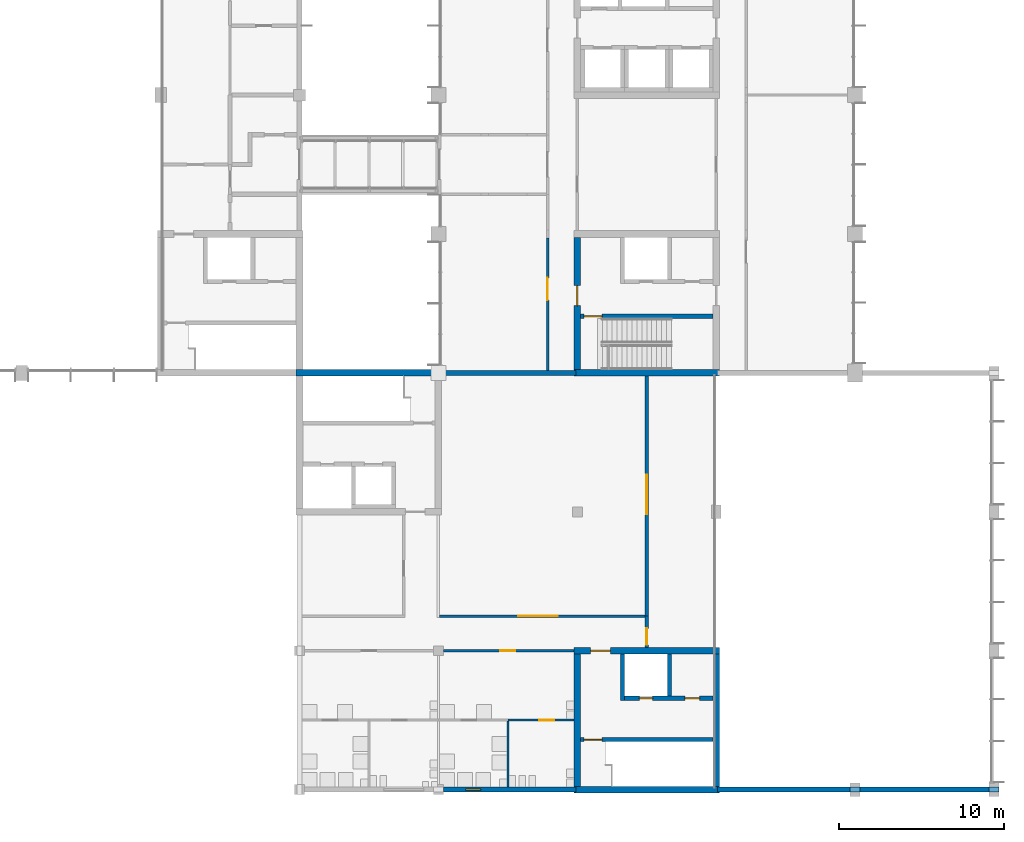
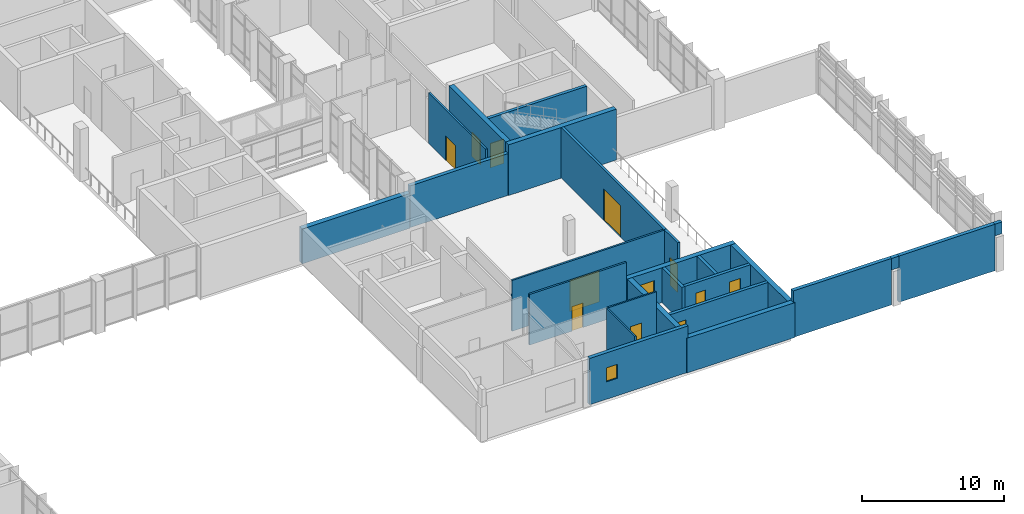
# One storey, part 39 of 70: 25 walls, 12 doors, 1 window, 13 openings.
"""IFC4 building model written with IfcOpenShell, lengths in metres."""

from ifc_helpers import new_model, si_unit, direction, frame, frame_2d, origin, place, context, subcontext, project, spatial, polyline, rectangle, outline, extrude, material, layer, layer_set, type_object, element, fill, save


model = new_model("IFC4")

# Units and contexts
model_context = context("Model", 3, precision=1e-05, world=origin(), true_north=direction((0.0, 1.0)))
body_context = subcontext(model_context, "Body", "Model", "MODEL_VIEW")
ifc_project = project(units=[si_unit("LENGTHUNIT", "METRE"), si_unit("AREAUNIT", "SQUARE_METRE"), si_unit("VOLUMEUNIT", "CUBIC_METRE"), si_unit("PLANEANGLEUNIT", "RADIAN"), si_unit("MASSUNIT", "GRAM", prefix="KILO")], contexts=[model_context])

# Site, building, storey
site_placement = place(None, origin())
site = spatial("IfcSite", under=ifc_project, at=site_placement, CompositionType="ELEMENT")
building_placement = place(site_placement, origin())
building = spatial("IfcBuilding", under=site, at=building_placement, Name="Hlaing Beacon Police Headquarters", CompositionType="ELEMENT")
storey_placement = place(building_placement, frame((0.0, 0.0, 5.39990234375)))
storey = spatial("IfcBuildingStorey", under=building, at=storey_placement, Name="L01", CompositionType="ELEMENT", Elevation=5.39990234375)

# Walls
ifc_material_1 = material(Name="Concrete C40/50", Category="concrete")
ifc_layer_1 = layer(ifc_material_1, 0.300048828125)
ifc_layer_set_1 = layer_set([ifc_layer_1], Name="Concrete C40/50")
wall_type_1 = type_object("IfcWallType", Name="Compartment wall 300", PredefinedType="SOLIDWALL", material=ifc_layer_set_1)
wall_1_placement = place(storey_placement, frame((109.122314453125, 33.60009765625, 0.0), z_axis=(0.0, 0.0, 1.0), x_axis=(-1.0, 0.0, 0.0)))
element("IfcWall", 1, at=wall_1_placement, inside=storey, type_object=wall_type_1, Name="Compartment wall L01 N050", PredefinedType="SOLIDWALL", context=body_context, shape_type="SweptSolid", body=[
    extrude(outline(polyline([(0.0, 0.0), (8.122314453125, 0.0), (8.122314453125, 3.60009765625), (7.872314453125, 3.60009765625), (0.122314453125, 3.60009765625), (0.0, 3.60009765625), (0.0, 0.0)])), frame((0.0, 0.14990234375, 0.0), z_axis=(0.0, -1.0, 0.0), x_axis=(1.0, 0.0, 0.0)), (0.0, 0.0, 1.0), 0.300048828125),
])
ifc_material_2 = material(Name="Concrete C60/75", Category="concrete")
ifc_layer_2 = layer(ifc_material_2, 0.39990234375)
ifc_layer_set_2 = layer_set([ifc_layer_2], Name="Concrete C60/75")
wall_type_2 = type_object("IfcWallType", Name="Core shear wall 400", PredefinedType="SHEAR", material=ifc_layer_set_2)
for number, where, z_axis, x_axis, name in (
    (2, (92.199951171875, 33.60009765625, 0.0), (0.0, 0.0, 1.0), (1.0, 0.0, 0.0), "Core shear wall"),
    (3, (109.0, 8.39990234375, 0.0), (0.0, 0.0, 1.0), (1.0, 0.0, 0.0), "Core shear wall"),
):
    element("IfcWall", number, at=place(storey_placement, frame(where, z_axis=z_axis, x_axis=x_axis)), inside=storey, type_object=wall_type_2, Name=name, PredefinedType="SHEAR", context=body_context, shape_type="SweptSolid", body=[
        extrude(rectangle(XDim=8.800048828125, YDim=0.39990234375, at=frame_2d((4.39990234375, 0.0))), origin(), (0.0, 0.0, 1.0), 3.0),
    ])

# Wall, opening, door
wall_2_placement = place(storey_placement, frame((109.0, 16.800048828125, 0.0), z_axis=(0.0, 0.0, 1.0), x_axis=(1.0, 0.0, 0.0)))
wall_2 = element("IfcWall", 4, at=wall_2_placement, inside=storey, type_object=wall_type_2, Name="Core shear wall", PredefinedType="SHEAR", context=body_context, shape_type="SweptSolid", body=[
    extrude(rectangle(XDim=8.800048828125, YDim=0.39990234375, at=frame_2d((4.39990234375, 0.0))), origin(), (0.0, 0.0, 1.0), 3.0),
])
opening_1_placement = place(wall_2_placement, frame((1.0, 0.0, 0.0)))
opening_1 = element("IfcOpeningElement", 5, at=opening_1_placement, cuts=wall_2, Name="Opening L01-926", PredefinedType="OPENING", context=body_context, shape_type="SweptSolid", body=[
    extrude(rectangle(XDim=1.199951171875, YDim=2.10009765625, at=frame_2d((0.60009765625, 1.050048828125))), frame((0.0, 0.2099609375, 0.0), z_axis=(0.0, -1.0, 0.0), x_axis=(1.0, 0.0, 0.0)), (0.0, 0.0, 1.0), 0.419921875),
])
ifc_material_3 = material(Name="Steel fire door leaf", Category="steel")
ifc_layer_3 = layer(ifc_material_3, 0.070068359375)
ifc_layer_set_3 = layer_set([ifc_layer_3], Name="Steel fire door leaf")
door_type_1 = type_object("IfcDoorType", Name="Steel fire door FD60S 1200x2100", OperationType="SINGLE_SWING_LEFT", PredefinedType="DOOR", material=ifc_layer_set_3)
door_1_placement = place(opening_1_placement, frame((1.199951171875, 0.0, 0.0), z_axis=(0.0, 0.0, 1.0), x_axis=(-1.0, 0.0, 0.0)))
door_1 = element("IfcDoor", 6, at=door_1_placement, inside=storey, type_object=door_type_1, Name="Door Stair Lobby ST-H Entry", OperationType="SINGLE_SWING_RIGHT", OverallHeight=2.10009765625, OverallWidth=1.199951171875, PredefinedType="DOOR", context=body_context, shape_type="SweptSolid", body=[
    extrude(rectangle(XDim=1.199951171875, YDim=2.10009765625, at=frame_2d((0.599853515625, 1.050048828125))), frame((0.0, 0.034912109375, 0.0), z_axis=(0.0, -1.0, 0.0), x_axis=(1.0, 0.0, 0.0)), (0.0, 0.0, 1.0), 0.070068359375),
])
fill(opening_1, door_1)

# Walls
for number, where, z_axis, x_axis, name in (
    (7, (109.199951171875, 8.60009765625, 0.0), (0.0, 0.0, 1.0), (0.0, 1.0, 0.0), "Core shear wall"),
    (8, (117.60009765625, 8.60009765625, 0.0), (0.0, 0.0, 1.0), (0.0, 1.0, 0.0), "Core shear wall"),
):
    element("IfcWall", number, at=place(storey_placement, frame(where, z_axis=z_axis, x_axis=x_axis)), inside=storey, type_object=wall_type_2, Name=name, PredefinedType="SHEAR", context=body_context, shape_type="SweptSolid", body=[
        extrude(rectangle(XDim=8.0, YDim=0.39990234375, at=frame_2d((4.0, 0.0))), origin(), (0.0, 0.0, 1.0), 3.0),
    ])
wall_3_placement = place(storey_placement, frame((109.0, 33.60009765625, 0.0), z_axis=(0.0, 0.0, 1.0), x_axis=(1.0, 0.0, 0.0)))
element("IfcWall", 9, at=wall_3_placement, inside=storey, type_object=wall_type_2, Name="Core shear wall", PredefinedType="SHEAR", context=body_context, shape_type="SweptSolid", body=[
    extrude(rectangle(XDim=8.800048828125, YDim=0.39990234375, at=frame_2d((4.39990234375, 0.0))), origin(), (0.0, 0.0, 1.0), 4.3701171875),
])

# Wall, opening, door
wall_4_placement = place(storey_placement, frame((109.199951171875, 33.800048828125, 0.0), z_axis=(0.0, 0.0, 1.0), x_axis=(0.0, 1.0, 0.0)))
wall_4 = element("IfcWall", 10, at=wall_4_placement, inside=storey, type_object=wall_type_2, Name="Core shear wall", PredefinedType="SHEAR", context=body_context, shape_type="SweptSolid", body=[
    extrude(rectangle(XDim=8.0, YDim=0.39990234375, at=frame_2d((4.0, 0.0))), origin(), (0.0, 0.0, 1.0), 4.3701171875),
])
opening_2_placement = place(wall_4_placement, frame((3.875, 0.0, 0.0)))
opening_2 = element("IfcOpeningElement", 11, at=opening_2_placement, cuts=wall_4, Name="Opening L01-946", PredefinedType="OPENING", context=body_context, shape_type="SweptSolid", body=[
    extrude(rectangle(XDim=1.199951171875, YDim=2.10009765625, at=frame_2d((0.60009765625, 1.050048828125))), frame((0.0, 0.2099609375, 0.0), z_axis=(0.0, -1.0, 0.0), x_axis=(1.0, 0.0, 0.0)), (0.0, 0.0, 1.0), 0.419921875),
])
door_2_placement = place(opening_2_placement, frame((1.199951171875, 0.0, 0.0), z_axis=(0.0, 0.0, 1.0), x_axis=(-1.0, 0.0, 0.0)))
door_2 = element("IfcDoor", 12, at=door_2_placement, inside=storey, type_object=door_type_1, Name="Door Stair Lobby ST-L Entry", OperationType="SINGLE_SWING_RIGHT", OverallHeight=2.10009765625, OverallWidth=1.199951171875, PredefinedType="DOOR", context=body_context, shape_type="SweptSolid", body=[
    extrude(rectangle(XDim=1.199951171875, YDim=2.10009765625, at=frame_2d((0.599853515625, 1.050048828125))), frame((0.0, 0.034912109375, 0.0), z_axis=(0.0, -1.0, 0.0), x_axis=(1.0, 0.0, 0.0)), (0.0, 0.0, 1.0), 0.070068359375),
])
fill(opening_2, door_2)

ifc_material_4 = material(Name="Gypsum board partition")
ifc_layer_4 = layer(ifc_material_4, 0.14990234375)
ifc_layer_set_4 = layer_set([ifc_layer_4], Name="Gypsum board partition")
wall_type_3 = type_object("IfcWallType", Name="Corridor wall EI 30 150", PredefinedType="PARTITIONING", material=ifc_layer_set_4)
wall_5_placement = place(storey_placement, frame((100.875, 18.89990234375, 0.0), z_axis=(0.0, 0.0, 1.0), x_axis=(1.0, 0.0, 0.0)))
wall_5 = element("IfcWall", 13, at=wall_5_placement, inside=storey, type_object=wall_type_3, Name="Corridor wall EI 30 150", PredefinedType="PARTITIONING", context=body_context, shape_type="SweptSolid", body=[
    extrude(rectangle(XDim=12.425048828125, YDim=0.14990234375, at=frame_2d((6.21240234375, 0.0))), origin(), (0.0, 0.0, 1.0), 4.3701171875),
])
opening_3_placement = place(wall_5_placement, frame((4.75, 0.0, 0.0)))
opening_3 = element("IfcOpeningElement", 14, at=opening_3_placement, cuts=wall_5, Name="Opening L01-021", PredefinedType="OPENING", context=body_context, shape_type="SweptSolid", body=[
    extrude(rectangle(XDim=2.39990234375, YDim=2.699951171875, at=frame_2d((1.199951171875, 1.35009765625))), frame((0.0, 0.0849609375, 0.0), z_axis=(0.0, -1.0, 0.0), x_axis=(1.0, 0.0, 0.0)), (0.0, 0.0, 1.0), 0.169921875),
])
ifc_material_5 = material(Name="Hardwood door leaf", Category="wood")
ifc_layer_5 = layer(ifc_material_5, 0.050048828125)
ifc_layer_set_5 = layer_set([ifc_layer_5], Name="Hardwood door leaf")
door_type_2 = type_object("IfcDoorType", Name="Fire hall double door FD30S 2400x2700", OperationType="DOUBLE_DOOR_SINGLE_SWING", PredefinedType="DOOR", material=ifc_layer_set_5)
door_3_placement = place(opening_3_placement, frame((2.39990234375, 0.0, 0.0), z_axis=(0.0, 0.0, 1.0), x_axis=(-1.0, 0.0, 0.0)))
door_3 = element("IfcDoor", 15, at=door_3_placement, inside=storey, type_object=door_type_2, Name="Door Fitness Studio", OperationType="DOUBLE_DOOR_SINGLE_SWING", OverallHeight=2.699951171875, OverallWidth=2.39990234375, PredefinedType="DOOR", context=body_context, shape_type="SweptSolid", body=[
    extrude(rectangle(XDim=2.39990234375, YDim=2.699951171875, at=frame_2d((1.199951171875, 1.35009765625))), frame((0.0, 0.025146484375, 0.0), z_axis=(0.0, -1.0, 0.0), x_axis=(1.0, 0.0, 0.0)), (0.0, 0.0, 1.0), 0.050048828125),
])
fill(opening_3, door_3)

wall_6_placement = place(storey_placement, frame((101.10009765625, 16.800048828125, 0.0), z_axis=(0.0, 0.0, 1.0), x_axis=(1.0, 0.0, 0.0)))
wall_6 = element("IfcWall", 16, at=wall_6_placement, inside=storey, type_object=wall_type_3, Name="Corridor wall EI 30 150", PredefinedType="PARTITIONING", context=body_context, shape_type="SweptSolid", body=[
    extrude(rectangle(XDim=7.89990234375, YDim=0.14990234375, at=frame_2d((3.949951171875, 0.0))), origin(), (0.0, 0.0, 1.0), 4.3701171875),
])
opening_4_placement = place(wall_6_placement, frame((3.449951171875, 0.0, 0.0)))
opening_4 = element("IfcOpeningElement", 17, at=opening_4_placement, cuts=wall_6, Name="Opening L01-022", PredefinedType="OPENING", context=body_context, shape_type="SweptSolid", body=[
    extrude(rectangle(XDim=0.89990234375, YDim=2.10009765625, at=frame_2d((0.449951171875, 1.050048828125))), frame((0.0, 0.0849609375, 0.0), z_axis=(0.0, -1.0, 0.0), x_axis=(1.0, 0.0, 0.0)), (0.0, 0.0, 1.0), 0.169921875),
])
ifc_material_6 = material(Name="Hardwood door leaf", Category="wood")
ifc_layer_6 = layer(ifc_material_6, 0.050048828125)
ifc_layer_set_6 = layer_set([ifc_layer_6], Name="Hardwood door leaf")
door_type_3 = type_object("IfcDoorType", Name="Fire door FD30S 900x2100", OperationType="SINGLE_SWING_LEFT", PredefinedType="DOOR", material=ifc_layer_set_6)
door_4_placement = place(opening_4_placement, frame((0.89990234375, 0.0, 0.0), z_axis=(0.0, 0.0, 1.0), x_axis=(-1.0, 0.0, 0.0)))
door_4 = element("IfcDoor", 18, at=door_4_placement, inside=storey, type_object=door_type_3, Name="Door Female Changing Room", OperationType="SINGLE_SWING_RIGHT", OverallHeight=2.10009765625, OverallWidth=0.89990234375, PredefinedType="DOOR", context=body_context, shape_type="SweptSolid", body=[
    extrude(rectangle(XDim=0.89990234375, YDim=2.10009765625, at=frame_2d((0.449951171875, 1.050048828125))), frame((0.0, 0.025146484375, 0.0), z_axis=(0.0, -1.0, 0.0), x_axis=(1.0, 0.0, 0.0)), (0.0, 0.0, 1.0), 0.050048828125),
])
fill(opening_4, door_4)

wall_7_placement = place(storey_placement, frame((107.39990234375, 33.75, 0.0), z_axis=(0.0, 0.0, 1.0), x_axis=(0.0, 1.0, 0.0)))
wall_7 = element("IfcWall", 19, at=wall_7_placement, inside=storey, type_object=wall_type_3, Name="Corridor wall EI 30 150", PredefinedType="PARTITIONING", context=body_context, shape_type="SweptSolid", body=[
    extrude(rectangle(XDim=8.02001953125, YDim=0.14990234375, at=frame_2d((4.010009765625, 0.0))), origin(), (0.0, 0.0, 1.0), 4.3701171875),
])
opening_5_placement = place(wall_7_placement, frame((4.25, 0.0, 0.0)))
opening_5 = element("IfcOpeningElement", 20, at=opening_5_placement, cuts=wall_7, Name="Opening L01-052", PredefinedType="OPENING", context=body_context, shape_type="SweptSolid", body=[
    extrude(rectangle(XDim=1.35009765625, YDim=2.10009765625, at=frame_2d((0.675048828125, 1.050048828125))), frame((0.0, 0.0849609375, 0.0), z_axis=(0.0, -1.0, 0.0), x_axis=(1.0, 0.0, 0.0)), (0.0, 0.0, 1.0), 0.169921875),
])
ifc_material_7 = material(Name="Hardwood door leaf", Category="wood")
ifc_layer_7 = layer(ifc_material_7, 0.050048828125)
ifc_layer_set_7 = layer_set([ifc_layer_7], Name="Hardwood door leaf")
door_type_4 = type_object("IfcDoorType", Name="Fire leaf-and-a-half door FD30S 1350x2100", OperationType="DOUBLE_DOOR_SINGLE_SWING", PredefinedType="DOOR", material=ifc_layer_set_7)
door_5_placement = place(opening_5_placement, origin())
door_5 = element("IfcDoor", 21, at=door_5_placement, inside=storey, type_object=door_type_4, Name="Door Patrol Operations Room", OperationType="DOUBLE_DOOR_SINGLE_SWING", OverallHeight=2.10009765625, OverallWidth=1.35009765625, PredefinedType="DOOR", context=body_context, shape_type="SweptSolid", body=[
    extrude(rectangle(XDim=1.35009765625, YDim=2.10009765625, at=frame_2d((0.675048828125, 1.050048828125))), frame((0.0, 0.02490234375, 0.0), z_axis=(0.0, -1.0, 0.0), x_axis=(1.0, 0.0, 0.0)), (0.0, 0.0, 1.0), 0.050048828125),
])
fill(opening_5, door_5)

ifc_material_8 = material(Name="Concrete blockwork 7.5 N/mm2", Category="masonry")
ifc_layer_8 = layer(ifc_material_8, 0.199951171875)
ifc_layer_set_8 = layer_set([ifc_layer_8], Name="Concrete blockwork 7.5 N/mm2")
wall_type_4 = type_object("IfcWallType", Name="Lobby wall EI 120 200", PredefinedType="PARTITIONING", material=ifc_layer_set_8)
wall_8_placement = place(storey_placement, frame((113.39990234375, 17.0, 0.0), z_axis=(0.0, 0.0, 1.0), x_axis=(0.0, 1.0, 0.0)))
wall_8 = element("IfcWall", 22, at=wall_8_placement, inside=storey, type_object=wall_type_4, Name="Lobby wall EI 120 200", PredefinedType="PARTITIONING", context=body_context, shape_type="SweptSolid", body=[
    extrude(rectangle(XDim=1.89990234375, YDim=0.199951171875, at=frame_2d((0.949951171875, 0.0))), origin(), (0.0, 0.0, 1.0), 4.3701171875),
])
opening_6_placement = place(wall_8_placement, frame((0.14990234375, 0.0, 0.0)))
opening_6 = element("IfcOpeningElement", 23, at=opening_6_placement, cuts=wall_8, Name="Opening L01-019", PredefinedType="OPENING", context=body_context, shape_type="SweptSolid", body=[
    extrude(rectangle(XDim=1.0, YDim=2.39990234375, at=frame_2d((0.5, 1.199951171875))), frame((0.0, 0.10986328125, 0.0), z_axis=(0.0, -1.0, 0.0), x_axis=(1.0, 0.0, 0.0)), (0.0, 0.0, 1.0), 0.219970703125),
])
ifc_material_9 = material(Name="Hardwood door leaf", Category="wood")
ifc_layer_9 = layer(ifc_material_9, 0.06005859375)
ifc_layer_set_9 = layer_set([ifc_layer_9], Name="Hardwood door leaf")
door_type_5 = type_object("IfcDoorType", Name="Fire public door FD60S 1000x2400", OperationType="SINGLE_SWING_LEFT", PredefinedType="DOOR", material=ifc_layer_set_9)
door_6_placement = place(opening_6_placement, frame((1.0, 0.0, 0.0), z_axis=(0.0, 0.0, 1.0), x_axis=(-1.0, 0.0, 0.0)))
door_6 = element("IfcDoor", 24, at=door_6_placement, inside=storey, type_object=door_type_5, Name="Door Gymnasium Concourse", OperationType="SINGLE_SWING_LEFT", OverallHeight=2.39990234375, OverallWidth=1.0, PredefinedType="DOOR", context=body_context, shape_type="SweptSolid", body=[
    extrude(rectangle(XDim=1.0, YDim=2.39990234375, at=frame_2d((0.5, 1.199951171875))), frame((0.0, 0.030029296875, 0.0), z_axis=(0.0, -1.0, 0.0), x_axis=(1.0, 0.0, 0.0)), (0.0, 0.0, 1.0), 0.06005859375),
])
fill(opening_6, door_6)

wall_9_placement = place(storey_placement, frame((113.39990234375, 18.89990234375, 0.0), z_axis=(0.0, 0.0, 1.0), x_axis=(0.0, 1.0, 0.0)))
wall_9 = element("IfcWall", 25, at=wall_9_placement, inside=storey, type_object=wall_type_4, Name="Lobby wall EI 120 200", PredefinedType="PARTITIONING", context=body_context, shape_type="SweptSolid", body=[
    extrude(rectangle(XDim=14.5, YDim=0.199951171875, at=frame_2d((7.25, 0.0))), origin(), (0.0, 0.0, 1.0), 4.3701171875),
])
opening_7_placement = place(wall_9_placement, frame((6.14990234375, 0.0, 0.0)))
opening_7 = element("IfcOpeningElement", 26, at=opening_7_placement, cuts=wall_9, Name="Opening L01-020", PredefinedType="OPENING", context=body_context, shape_type="SweptSolid", body=[
    extrude(rectangle(XDim=2.39990234375, YDim=2.699951171875, at=frame_2d((1.199951171875, 1.35009765625))), frame((0.0, 0.10986328125, 0.0), z_axis=(0.0, -1.0, 0.0), x_axis=(1.0, 0.0, 0.0)), (0.0, 0.0, 1.0), 0.219970703125),
])
ifc_material_10 = material(Name="Hardwood door leaf", Category="wood")
ifc_layer_10 = layer(ifc_material_10, 0.06005859375)
ifc_layer_set_10 = layer_set([ifc_layer_10], Name="Hardwood door leaf")
door_type_6 = type_object("IfcDoorType", Name="Fire hall double door FD60S 2400x2700", OperationType="DOUBLE_DOOR_SINGLE_SWING", PredefinedType="DOOR", material=ifc_layer_set_10)
door_7_placement = place(opening_7_placement, frame((2.39990234375, 0.0, 0.0), z_axis=(0.0, 0.0, 1.0), x_axis=(-1.0, 0.0, 0.0)))
door_7 = element("IfcDoor", 27, at=door_7_placement, inside=storey, type_object=door_type_6, Name="Door Fitness Studio", OperationType="DOUBLE_DOOR_SINGLE_SWING", OverallHeight=2.699951171875, OverallWidth=2.39990234375, PredefinedType="DOOR", context=body_context, shape_type="SweptSolid", body=[
    extrude(rectangle(XDim=2.39990234375, YDim=2.699951171875, at=frame_2d((1.199951171875, 1.35009765625))), frame((0.0, 0.030029296875, 0.0), z_axis=(0.0, -1.0, 0.0), x_axis=(1.0, 0.0, 0.0)), (0.0, 0.0, 1.0), 0.06005859375),
])
fill(opening_7, door_7)

ifc_material_11 = material(Name="Gypsum board partition")
ifc_layer_11 = layer(ifc_material_11, 0.125)
ifc_layer_set_11 = layer_set([ifc_layer_11], Name="Gypsum board partition")
wall_type_5 = type_object("IfcWallType", Name="Partition 125", PredefinedType="PARTITIONING", material=ifc_layer_set_11)
wall_10_placement = place(storey_placement, frame((105.0, 12.60009765625, 0.0), z_axis=(0.0, 0.0, 1.0), x_axis=(1.0, 0.0, 0.0)))
wall_10 = element("IfcWall", 28, at=wall_10_placement, inside=storey, type_object=wall_type_5, Name="Partition 125", PredefinedType="PARTITIONING", context=body_context, shape_type="SweptSolid", body=[
    extrude(rectangle(XDim=4.0, YDim=0.125, at=frame_2d((2.0, 0.0))), origin(), (0.0, 0.0, 1.0), 4.3701171875),
])
opening_8_placement = place(wall_10_placement, frame((1.89990234375, 0.0, 0.0)))
opening_8 = element("IfcOpeningElement", 29, at=opening_8_placement, cuts=wall_10, Name="Opening L01-024", PredefinedType="OPENING", context=body_context, shape_type="SweptSolid", body=[
    extrude(rectangle(XDim=0.89990234375, YDim=2.10009765625, at=frame_2d((0.449951171875, 1.050048828125))), frame((0.0, 0.072509765625, 0.0), z_axis=(0.0, -1.0, 0.0), x_axis=(1.0, 0.0, 0.0)), (0.0, 0.0, 1.0), 0.14501953125),
])
ifc_material_12 = material(Name="Hardwood door leaf", Category="wood")
ifc_layer_12 = layer(ifc_material_12, 0.0400390625)
ifc_layer_set_12 = layer_set([ifc_layer_12], Name="Hardwood door leaf")
door_type_7 = type_object("IfcDoorType", Name="Door 900x2100", OperationType="SINGLE_SWING_LEFT", PredefinedType="DOOR", material=ifc_layer_set_12)
door_8_placement = place(opening_8_placement, frame((0.89990234375, 0.0, 0.0), z_axis=(0.0, 0.0, 1.0), x_axis=(-1.0, 0.0, 0.0)))
door_8 = element("IfcDoor", 30, at=door_8_placement, inside=storey, type_object=door_type_7, Name="Door Female Changing Room WC", OperationType="SINGLE_SWING_RIGHT", OverallHeight=2.10009765625, OverallWidth=0.89990234375, PredefinedType="DOOR", context=body_context, shape_type="SweptSolid", body=[
    extrude(rectangle(XDim=0.89990234375, YDim=2.10009765625, at=frame_2d((0.449951171875, 1.050048828125))), frame((0.0, 0.02001953125, 0.0), z_axis=(0.0, -1.0, 0.0), x_axis=(1.0, 0.0, 0.0)), (0.0, 0.0, 1.0), 0.0400390625),
])
fill(opening_8, door_8)

# Walls
wall_11_placement = place(storey_placement, frame((105.0, 8.550048828125, 0.0), z_axis=(0.0, 0.0, 1.0), x_axis=(0.0, 1.0, 0.0)))
element("IfcWall", 31, at=wall_11_placement, inside=storey, type_object=wall_type_5, Name="Partition 125", PredefinedType="PARTITIONING", context=body_context, shape_type="SweptSolid", body=[
    extrude(rectangle(XDim=3.987060546875, YDim=0.125, at=frame_2d((1.99365234375, 0.0))), origin(), (0.0, 0.0, 1.0), 4.3701171875),
])
ifc_material_13 = material(Name="Concrete C40/50 precast ribbed cladding", Category="concrete")
ifc_layer_13 = layer(ifc_material_13, 0.300048828125)
ifc_layer_set_13 = layer_set([ifc_layer_13], Name="Concrete C40/50 precast ribbed cladding")
wall_type_6 = type_object("IfcWallType", Name="Precast ribbed wall 300", PredefinedType="SOLIDWALL", material=ifc_layer_set_13)
wall_12_placement = place(storey_placement, frame((125.699951171875, 8.39990234375, 3.0), z_axis=(0.0, 0.0, 1.0), x_axis=(1.0, 0.0, 0.0)))
element("IfcWall", 32, at=wall_12_placement, inside=storey, type_object=wall_type_6, Name="Wall over column L01 S002", PredefinedType="SOLIDWALL", context=body_context, shape_type="SweptSolid", body=[
    extrude(outline(polyline([(0.0, 0.0), (0.60009765625, 0.0), (0.60009765625, 1.0), (0.0, 1.0), (0.0, 0.0)])), frame((0.0, 0.14990234375, 0.0), z_axis=(0.0, -1.0, 0.0), x_axis=(1.0, 0.0, 0.0)), (0.0, 0.0, 1.0), 0.300048828125),
])
wall_13_placement = place(storey_placement, frame((117.677734375, 8.39990234375, 0.0), z_axis=(0.0, 0.0, 1.0), x_axis=(1.0, 0.0, 0.0)))
element("IfcWall", 33, at=wall_13_placement, inside=storey, type_object=wall_type_6, Name="External wall L01 S001", PredefinedType="SOLIDWALL", context=body_context, shape_type="SweptSolid", body=[
    extrude(outline(polyline([(0.0, 0.0), (8.022216796875, 0.0), (8.022216796875, 4.0), (0.122314453125, 4.0), (0.0, 4.0), (0.0, 0.0)])), frame((0.0, 0.14990234375, 0.0), z_axis=(0.0, -1.0, 0.0), x_axis=(1.0, 0.0, 0.0)), (0.0, 0.0, 1.0), 0.300048828125),
])
wall_14_placement = place(storey_placement, frame((134.10009765625, 8.39990234375, 3.0), z_axis=(0.0, 0.0, 1.0), x_axis=(1.0, 0.0, 0.0)))
element("IfcWall", 34, at=wall_14_placement, inside=storey, type_object=wall_type_6, Name="Wall over column L01 S004", PredefinedType="SOLIDWALL", context=body_context, shape_type="SweptSolid", body=[
    extrude(outline(polyline([(0.0, 0.0), (0.599853515625, 0.0), (0.60009765625, 1.0), (0.0, 1.0), (0.0, 0.0)])), frame((0.0, 0.14990234375, 0.0), z_axis=(0.0, -1.0, 0.0), x_axis=(1.0, 0.0, 0.0)), (0.0, 0.0, 1.0), 0.300048828125),
])
wall_15_placement = place(storey_placement, frame((126.300048828125, 8.39990234375, 0.0), z_axis=(0.0, 0.0, 1.0), x_axis=(1.0, 0.0, 0.0)))
element("IfcWall", 35, at=wall_15_placement, inside=storey, type_object=wall_type_6, Name="External wall L01 S003", PredefinedType="SOLIDWALL", context=body_context, shape_type="SweptSolid", body=[
    extrude(outline(polyline([(0.0, 0.0), (7.800048828125, 0.0), (7.800048828125, 4.0), (0.0, 4.0), (0.0, 0.0)])), frame((0.0, 0.14990234375, 0.0), z_axis=(0.0, -1.0, 0.0), x_axis=(1.0, 0.0, 0.0)), (0.0, 0.0, 1.0), 0.300048828125),
])

# Wall, opening, window
wall_16_placement = place(storey_placement, frame((101.10009765625, 8.39990234375, 0.0), z_axis=(0.0, 0.0, 1.0), x_axis=(1.0, 0.0, 0.0)))
wall_16 = element("IfcWall", 36, at=wall_16_placement, inside=storey, type_object=wall_type_6, Name="External wall L01 S028", PredefinedType="SOLIDWALL", context=body_context, shape_type="SweptSolid", body=[
    extrude(outline(polyline([(0.0, 0.0), (8.022216796875, 0.0), (8.022216796875, 4.0), (7.89990234375, 4.0), (0.0, 4.0), (0.0, 0.0)])), frame((0.0, 0.14990234375, 0.0), z_axis=(0.0, -1.0, 0.0), x_axis=(1.0, 0.0, 0.0)), (0.0, 0.0, 1.0), 0.300048828125),
])
opening_9_placement = place(wall_16_placement, frame((1.35009765625, 0.0, 1.5)))
opening_9 = element("IfcOpeningElement", 37, at=opening_9_placement, cuts=wall_16, Name="Opening WN20", PredefinedType="OPENING", context=body_context, shape_type="SweptSolid", body=[
    extrude(rectangle(XDim=0.89990234375, YDim=1.199951171875, at=frame_2d((0.449951171875, 0.60009765625))), frame((0.0, 0.16015625, 0.0), z_axis=(0.0, -1.0, 0.0), x_axis=(1.0, 0.0, 0.0)), (0.0, 0.0, 1.0), 0.320068359375),
])
ifc_material_14 = material(Name="Aluminium frame with solar control glazing", Category="aluminium")
window_type = type_object("IfcWindowType", Name="Service room window 900x1200 frame 80", PartitioningType="SINGLE_PANEL", PredefinedType="WINDOW", material=ifc_material_14)
window_placement = place(opening_9_placement, origin())
window = element("IfcWindow", 38, at=window_placement, inside=storey, type_object=window_type, Name="Window L01 WK", OverallHeight=1.199951171875, OverallWidth=0.89990234375, PartitioningType="SINGLE_PANEL", PredefinedType="WINDOW", context=body_context, shape_type="SweptSolid", body=[
    extrude(rectangle(XDim=0.89990234375, YDim=1.199951171875, at=frame_2d((0.449951171875, 0.60009765625))), frame((0.0, 0.0400390625, 0.0), z_axis=(0.0, -1.0, 0.0), x_axis=(1.0, 0.0, 0.0)), (0.0, 0.0, 1.0), 0.080078125),
])
fill(opening_9, window)

# Wall, opening, door
ifc_material_15 = material(Name="Concrete C40/50", Category="concrete")
ifc_layer_14 = layer(ifc_material_15, 0.25)
ifc_layer_set_14 = layer_set([ifc_layer_14], Name="Concrete C40/50")
wall_type_7 = type_object("IfcWallType", Name="Shaft wall 250", PredefinedType="SOLIDWALL", material=ifc_layer_set_14)
wall_17_placement = place(storey_placement, frame((109.39990234375, 11.425048828125, 0.0), z_axis=(0.0, 0.0, 1.0), x_axis=(1.0, 0.0, 0.0)))
wall_17 = element("IfcWall", 39, at=wall_17_placement, inside=storey, type_object=wall_type_7, Name="Stair enclosure wall", PredefinedType="SOLIDWALL", context=body_context, shape_type="SweptSolid", body=[
    extrude(rectangle(XDim=8.0, YDim=0.25, at=frame_2d((4.0, 0.0))), origin(), (0.0, 0.0, 1.0), 3.0),
])
opening_10_placement = place(wall_17_placement, frame((0.199951171875, 0.0, 0.0)))
opening_10 = element("IfcOpeningElement", 40, at=opening_10_placement, cuts=wall_17, Name="Opening L01-928", PredefinedType="OPENING", context=body_context, shape_type="SweptSolid", body=[
    extrude(rectangle(XDim=1.10009765625, YDim=2.10009765625, at=frame_2d((0.550048828125, 1.050048828125))), frame((0.0, 0.135009765625, 0.0), z_axis=(0.0, -1.0, 0.0), x_axis=(1.0, 0.0, 0.0)), (0.0, 0.0, 1.0), 0.27001953125),
])
ifc_material_16 = material(Name="Steel fire door leaf", Category="steel")
ifc_layer_15 = layer(ifc_material_16, 0.070068359375)
ifc_layer_set_15 = layer_set([ifc_layer_15], Name="Steel fire door leaf")
door_type_8 = type_object("IfcDoorType", Name="Steel fire door FD60 1100x2100", OperationType="SINGLE_SWING_LEFT", PredefinedType="DOOR", material=ifc_layer_set_15)
door_9_placement = place(opening_10_placement, frame((1.10009765625, 0.0, 0.0), z_axis=(0.0, 0.0, 1.0), x_axis=(-1.0, 0.0, 0.0)))
door_9 = element("IfcDoor", 41, at=door_9_placement, inside=storey, type_object=door_type_8, Name="Door Stair ST-H", OperationType="SINGLE_SWING_LEFT", OverallHeight=2.10009765625, OverallWidth=1.10009765625, PredefinedType="DOOR", context=body_context, shape_type="SweptSolid", body=[
    extrude(rectangle(XDim=1.10009765625, YDim=2.10009765625, at=frame_2d((0.550048828125, 1.050048828125))), frame((0.0, 0.034912109375, 0.0), z_axis=(0.0, -1.0, 0.0), x_axis=(1.0, 0.0, 0.0)), (0.0, 0.0, 1.0), 0.070068359375),
])
fill(opening_10, door_9)

# Wall
wall_18_placement = place(storey_placement, frame((111.925048828125, 13.800048828125, 0.0), z_axis=(0.0, 0.0, 1.0), x_axis=(0.0, 1.0, 0.0)))
element("IfcWall", 42, at=wall_18_placement, inside=storey, type_object=wall_type_7, Name="Lobby wall", PredefinedType="SOLIDWALL", context=body_context, shape_type="SweptSolid", body=[
    extrude(rectangle(XDim=2.800048828125, YDim=0.25, at=frame_2d((1.39990234375, 0.0))), origin(), (0.0, 0.0, 1.0), 3.0),
])

# Wall, openings, doors
wall_19_placement = place(storey_placement, frame((112.050048828125, 13.925048828125, 0.0), z_axis=(0.0, 0.0, 1.0), x_axis=(1.0, 0.0, 0.0)))
wall_19 = element("IfcWall", 43, at=wall_19_placement, inside=storey, type_object=wall_type_7, Name="Lobby wall", PredefinedType="SOLIDWALL", context=body_context, shape_type="SweptSolid", body=[
    extrude(rectangle(XDim=5.349853515625, YDim=0.25, at=frame_2d((2.6748046875, 0.0))), origin(), (0.0, 0.0, 1.0), 3.0),
])
opening_11_placement = place(wall_19_placement, frame((3.64990234375, 0.0, 0.0)))
opening_11 = element("IfcOpeningElement", 44, at=opening_11_placement, cuts=wall_19, Name="Opening L01-925", PredefinedType="OPENING", context=body_context, shape_type="SweptSolid", body=[
    extrude(rectangle(XDim=0.89990234375, YDim=2.10009765625, at=frame_2d((0.449951171875, 1.050048828125))), frame((0.0, 0.135009765625, 0.0), z_axis=(0.0, -1.0, 0.0), x_axis=(1.0, 0.0, 0.0)), (0.0, 0.0, 1.0), 0.27001953125),
])
opening_12_placement = place(wall_19_placement, frame((0.89990234375, 0.0, 0.0)))
opening_12 = element("IfcOpeningElement", 45, at=opening_12_placement, cuts=wall_19, Name="Opening L01-927", PredefinedType="OPENING", context=body_context, shape_type="SweptSolid", body=[
    extrude(rectangle(XDim=0.800048828125, YDim=2.10009765625, at=frame_2d((0.39990234375, 1.050048828125))), frame((0.0, 0.135009765625, 0.0), z_axis=(0.0, -1.0, 0.0), x_axis=(1.0, 0.0, 0.0)), (0.0, 0.0, 1.0), 0.27001953125),
])
ifc_material_17 = material(Name="Steel fire door leaf", Category="steel")
ifc_layer_16 = layer(ifc_material_17, 0.070068359375)
ifc_layer_set_16 = layer_set([ifc_layer_16], Name="Steel fire door leaf")
door_type_9 = type_object("IfcDoorType", Name="Steel fire door FD60 800x2100", OperationType="SINGLE_SWING_LEFT", PredefinedType="DOOR", material=ifc_layer_set_16)
door_10_placement = place(opening_12_placement, origin())
door_10 = element("IfcDoor", 46, at=door_10_placement, inside=storey, type_object=door_type_9, Name="Door Services Riser", OperationType="SINGLE_SWING_RIGHT", OverallHeight=2.10009765625, OverallWidth=0.800048828125, PredefinedType="DOOR", context=body_context, shape_type="SweptSolid", body=[
    extrude(rectangle(XDim=0.800048828125, YDim=2.10009765625, at=frame_2d((0.39990234375, 1.050048828125))), frame((0.0, 0.03515625, 0.0), z_axis=(0.0, -1.0, 0.0), x_axis=(1.0, 0.0, 0.0)), (0.0, 0.0, 1.0), 0.070068359375),
])
fill(opening_12, door_10)
ifc_material_18 = material(Name="Steel fire door leaf", Category="steel")
ifc_layer_17 = layer(ifc_material_18, 0.070068359375)
ifc_layer_set_17 = layer_set([ifc_layer_17], Name="Steel fire door leaf")
door_type_10 = type_object("IfcDoorType", Name="Steel fire door FD60 900x2100", OperationType="SINGLE_SWING_LEFT", PredefinedType="DOOR", material=ifc_layer_set_17)
door_11_placement = place(opening_11_placement, origin())
door_11 = element("IfcDoor", 47, at=door_11_placement, inside=storey, type_object=door_type_10, Name="Door Cleaners' Store", OperationType="SINGLE_SWING_LEFT", OverallHeight=2.10009765625, OverallWidth=0.89990234375, PredefinedType="DOOR", context=body_context, shape_type="SweptSolid", body=[
    extrude(rectangle(XDim=0.89990234375, YDim=2.10009765625, at=frame_2d((0.449951171875, 1.050048828125))), frame((0.0, 0.03515625, 0.0), z_axis=(0.0, -1.0, 0.0), x_axis=(1.0, 0.0, 0.0)), (0.0, 0.0, 1.0), 0.070068359375),
])
fill(opening_11, door_11)

# Wall
wall_20_placement = place(storey_placement, frame((114.77490234375, 14.050048828125, 0.0), z_axis=(0.0, 0.0, 1.0), x_axis=(0.0, 1.0, 0.0)))
element("IfcWall", 48, at=wall_20_placement, inside=storey, type_object=wall_type_7, Name="Riser wall", PredefinedType="SOLIDWALL", context=body_context, shape_type="SweptSolid", body=[
    extrude(rectangle(XDim=2.550048828125, YDim=0.25, at=frame_2d((1.27490234375, 0.0))), origin(), (0.0, 0.0, 1.0), 3.0),
])

# Wall, opening, door
wall_21_placement = place(storey_placement, frame((109.39990234375, 37.02490234375, 0.0), z_axis=(0.0, 0.0, 1.0), x_axis=(1.0, 0.0, 0.0)))
wall_21 = element("IfcWall", 49, at=wall_21_placement, inside=storey, type_object=wall_type_7, Name="Stair enclosure wall", PredefinedType="SOLIDWALL", context=body_context, shape_type="SweptSolid", body=[
    extrude(rectangle(XDim=8.0, YDim=0.25, at=frame_2d((4.0, 0.0))), origin(), (0.0, 0.0, 1.0), 4.3701171875),
])
opening_13_placement = place(wall_21_placement, frame((0.199951171875, 0.0, 0.0)))
opening_13 = element("IfcOpeningElement", 50, at=opening_13_placement, cuts=wall_21, Name="Opening L01-949", PredefinedType="OPENING", context=body_context, shape_type="SweptSolid", body=[
    extrude(rectangle(XDim=1.10009765625, YDim=2.10009765625, at=frame_2d((0.550048828125, 1.050048828125))), frame((0.0, 0.135009765625, 0.0), z_axis=(0.0, -1.0, 0.0), x_axis=(1.0, 0.0, 0.0)), (0.0, 0.0, 1.0), 0.27001953125),
])
door_12_placement = place(opening_13_placement, frame((1.10009765625, 0.0, 0.0), z_axis=(0.0, 0.0, 1.0), x_axis=(-1.0, 0.0, 0.0)))
door_12 = element("IfcDoor", 51, at=door_12_placement, inside=storey, type_object=door_type_8, Name="Door Stair ST-L", OperationType="SINGLE_SWING_LEFT", OverallHeight=2.10009765625, OverallWidth=1.10009765625, PredefinedType="DOOR", context=body_context, shape_type="SweptSolid", body=[
    extrude(rectangle(XDim=1.10009765625, YDim=2.10009765625, at=frame_2d((0.550048828125, 1.050048828125))), frame((0.0, 0.034912109375, 0.0), z_axis=(0.0, -1.0, 0.0), x_axis=(1.0, 0.0, 0.0)), (0.0, 0.0, 1.0), 0.070068359375),
])
fill(opening_13, door_12)

save(model, "model.ifc")
